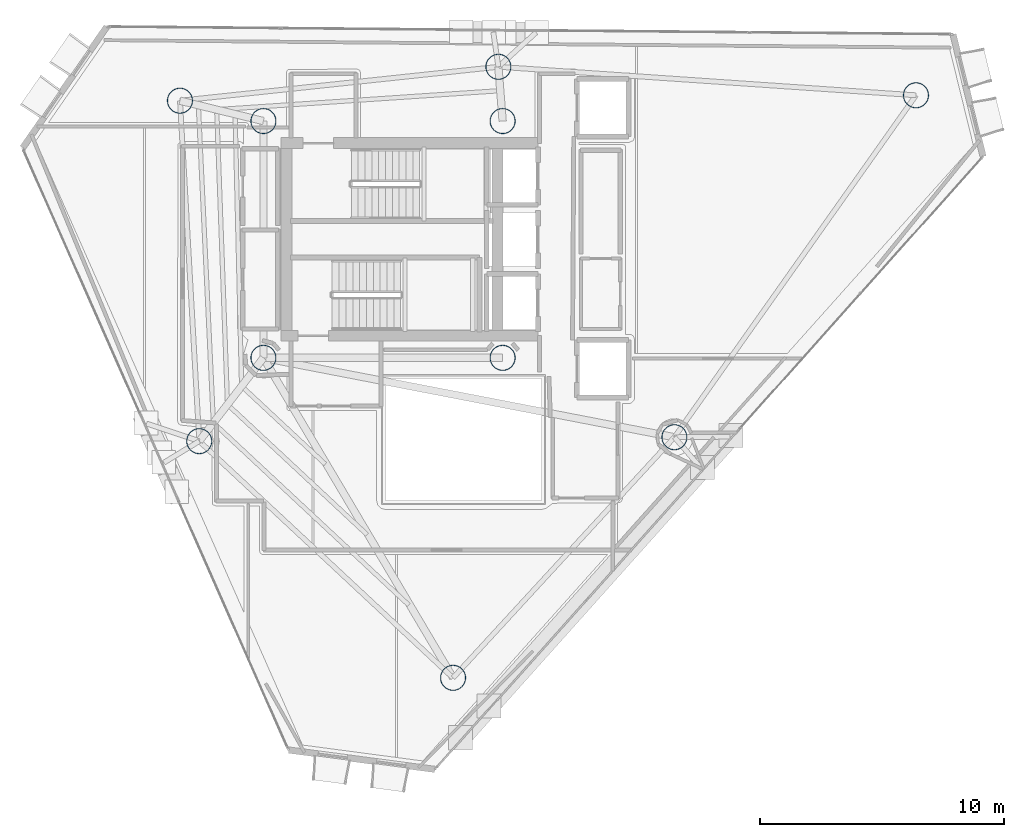
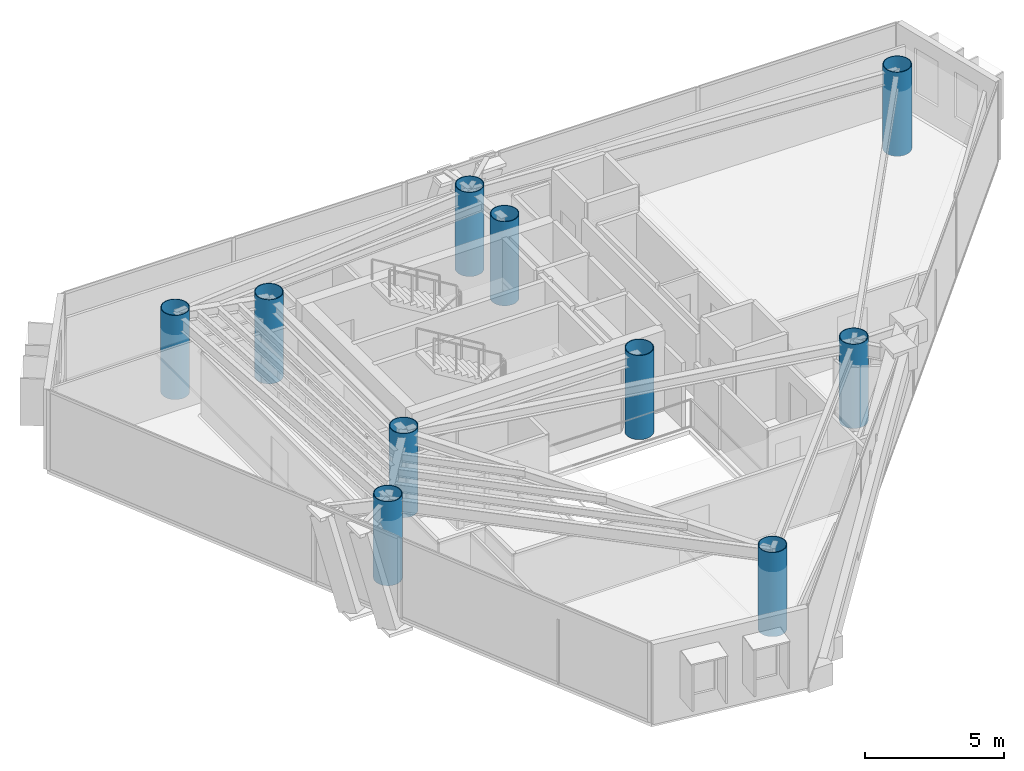
# One storey, part 1 of 21: 10 columns.
"""IFC4 building model written with IfcOpenShell, lengths in metres."""

from ifc_helpers import new_model, si_unit, direction, frame, origin, origin_2d, place, context, subcontext, project, spatial, hollow_circle, extrude, material, material_profile, profile_set, type_object, element, save


model = new_model("IFC4")

# Units and contexts
model_context = context("Model", 3, precision=1e-05, world=origin(), true_north=direction((0.0, 1.0)))
body_context = subcontext(model_context, "Body", "Model", "MODEL_VIEW")
ifc_project = project(units=[si_unit("LENGTHUNIT", "METRE"), si_unit("AREAUNIT", "SQUARE_METRE"), si_unit("VOLUMEUNIT", "CUBIC_METRE"), si_unit("PLANEANGLEUNIT", "RADIAN"), si_unit("MASSUNIT", "GRAM", prefix="KILO")], contexts=[model_context])

# Site, building, storey
site_placement = place(None, origin())
site = spatial("IfcSite", under=ifc_project, at=site_placement, CompositionType="ELEMENT")
building_placement = place(site_placement, origin())
building = spatial("IfcBuilding", under=site, at=building_placement, Name="Qianvela Tower", CompositionType="ELEMENT")
storey_placement = place(building_placement, frame((0.0, 0.0, 250.10009765625)))
storey = spatial("IfcBuildingStorey", under=building, at=storey_placement, Name="L64", CompositionType="ELEMENT", Elevation=250.10009765625)

# Columns
ifc_material = material(Name="Steel Q420GJC", Category="steel")
ifc_material_profile = material_profile(ifc_material, hollow_circle(Radius=0.52490234375, WallThickness=0.028076171875, at=origin_2d()), Name="CFT-1050x28")
ifc_profile_set = profile_set([ifc_material_profile], Name="Steel Q420GJC")
column_type = type_object("IfcColumnType", Name="COL-CFT-1050x28", PredefinedType="COLUMN", material=ifc_profile_set)
for number, where, z_axis, x_axis, name in (
    (1, (28.60009765625, 33.550048828125, 0.0), (0.0, 0.0, 1.0), (1.0, 0.0, 0.0), "L64 Core Corner Mega-Column CC-NW"),
    (2, (28.60009765625, 23.85009765625, 0.0), (0.0, 0.0, 1.0), (1.0, 0.0, 0.0), "L64 Core Corner Mega-Column CC-SW"),
    (3, (38.39990234375, 33.550048828125, 0.0), (0.0, 0.0, 1.0), (1.0, 0.0, 0.0), "L64 Core Corner Mega-Column CC-NE"),
    (4, (38.39990234375, 23.85009765625, 0.0), (0.0, 0.0, 1.0), (1.0, 0.0, 0.0), "L64 Core Corner Mega-Column CC-SE"),
    (5, (55.33203125, 34.60498046875, 0.0), (0.0, 0.0, 1.0), (1.0, 0.0, 0.0), "L64 Zone Z6 CFT Mega-Column C1"),
    (6, (38.22509765625, 35.77294921875, 0.0), (0.0, 0.0, 1.0), (1.0, 0.0, 0.0), "L64 Zone Z6 CFT Mega-Column C2"),
    (7, (25.181884765625, 34.384033203125, 0.0), (0.0, 0.0, 1.0), (1.0, 0.0, 0.0), "L64 Zone Z6 CFT Mega-Column C3"),
    (8, (25.971923828125, 20.43701171875, 0.0), (0.0, 0.0, 1.0), (1.0, 0.0, 0.0), "L64 Zone Z6 CFT Mega-Column C4"),
    (9, (36.368896484375, 10.741943359375, 0.0), (0.0, 0.0, 1.0), (1.0, 0.0, 0.0), "L64 Zone Z6 CFT Mega-Column C5"),
    (10, (45.43603515625, 20.597900390625, 0.0), (0.0, 0.0, 1.0), (1.0, 0.0, 0.0), "L64 Zone Z6 CFT Mega-Column C6"),
):
    element("IfcColumn", number, at=place(storey_placement, frame(where, z_axis=z_axis, x_axis=x_axis)), inside=storey, type_object=column_type, Name=name, PredefinedType="COLUMN", context=body_context, shape_type="SweptSolid", body=[
        extrude(hollow_circle(Radius=0.52490234375, WallThickness=0.028076171875, at=origin_2d()), origin(), (0.0, 0.0, 1.0), 3.699951171875),
    ])

save(model, "model.ifc")
